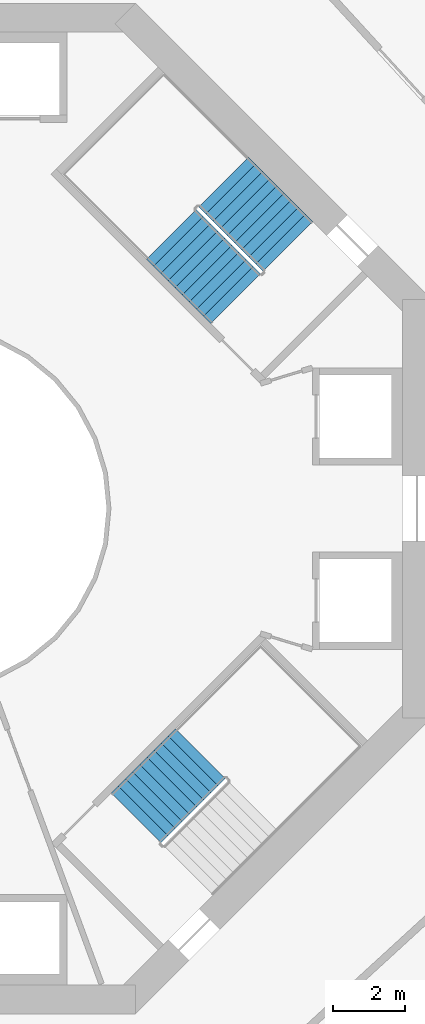
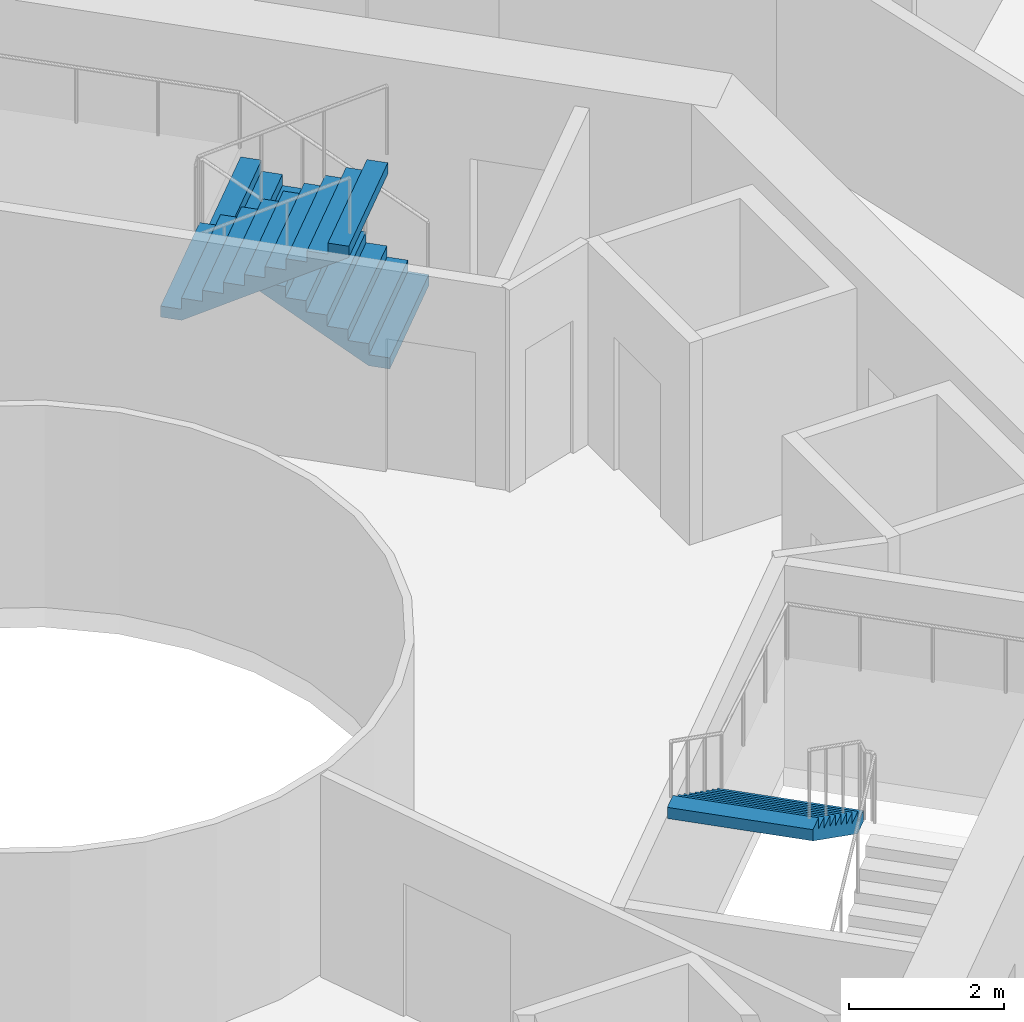
# One storey, part 23 of 24: 3 stair flights, 2 elements without a shape of their own.
"""IFC4 building model written with IfcOpenShell, lengths in metres."""

from ifc_helpers import new_model, si_unit, direction, frame, origin, place, context, subcontext, project, spatial, triangles, material, type_object, element, aggregate, save


model = new_model("IFC4")

# Units and contexts
model_context = context("Model", 3, precision=1e-05, world=origin(), true_north=direction((0.0, 1.0)))
body_context = subcontext(model_context, "Body", "Model", "MODEL_VIEW")
ifc_project = project(units=[si_unit("LENGTHUNIT", "METRE"), si_unit("AREAUNIT", "SQUARE_METRE"), si_unit("VOLUMEUNIT", "CUBIC_METRE"), si_unit("PLANEANGLEUNIT", "RADIAN"), si_unit("MASSUNIT", "GRAM", prefix="KILO")], contexts=[model_context])

# Site, building, storey
site_placement = place(None, origin())
site = spatial("IfcSite", under=ifc_project, at=site_placement, CompositionType="ELEMENT")
building_placement = place(site_placement, origin())
building = spatial("IfcBuilding", under=site, at=building_placement, Name="Verdalira Terraces Hotel", CompositionType="ELEMENT")
storey_placement = place(building_placement, frame((0.0, 0.0, 86.0)))
storey = spatial("IfcBuildingStorey", under=building, at=storey_placement, Name="L19", CompositionType="ELEMENT", Elevation=86.0)

# Stair, stair flights
ifc_material_1 = material(Name="Concrete C40", Category="concrete")
stair_type = type_object("IfcStairType", Name="Core stair 20 risers 1950 mm wide", PredefinedType="HALF_TURN_STAIR", material=ifc_material_1)
stair_1_placement = place(storey_placement, origin())
stair_1 = element("IfcStair", 1, at=stair_1_placement, inside=storey, type_object=stair_type, Name="L19 Exit stair ST1", PredefinedType="HALF_TURN_STAIR")
ifc_material_2 = material(Name="Concrete C40", Category="concrete")
stair_flight_type = type_object("IfcStairFlightType", Name="Core stair flight 20 risers 1950 mm wide", PredefinedType="STRAIGHT", material=ifc_material_2)
stair_flight_1_placement = place(storey_placement, frame((10.023193, 7.265625, 0.0), z_axis=(0.0, 0.0, 1.0), x_axis=(-0.707106781, 0.707106781, 0.0)))
stair_flight_1 = element("IfcStairFlight", 2, at=stair_flight_1_placement, type_object=stair_flight_type, Name="ST1 flight 1", NumberOfRisers=10, NumberOfTreads=9, PredefinedType="STRAIGHT", RiserHeight=0.175, TreadLength=0.28, context=body_context, shape_type="Tessellation", body=[
    triangles([(0.0, 0.974976, 0.0), (0.282715, 0.974976, 0.0), (2.52002, 0.974976, 1.398193), (0.0, -0.974976, 0.0), (0.282715, -0.974976, 0.0), (2.52002, -0.974976, 1.398193), (2.52002, 0.974976, 1.574951), (2.23999, 0.974976, 1.574951), (2.52002, -0.974976, 1.574951), (2.23999, -0.974976, 1.574951), (2.23999, 0.974976, 1.399902), (2.23999, -0.974976, 1.399902), (1.959961, 0.974976, 1.399902), (1.959961, -0.974976, 1.399902), (1.959961, 0.974976, 1.225098), (1.959961, -0.974976, 1.225098), (1.679932, 0.974976, 1.225098), (1.679932, 0.974976, 1.050049), (1.679932, -0.974976, 1.225098), (1.679932, -0.974976, 1.050049), (1.399902, 0.974976, 1.050049), (1.399902, 0.974976, 0.875), (1.399902, -0.974976, 1.050049), (1.399902, -0.974976, 0.875), (1.120117, 0.974976, 0.875), (1.120117, 0.974976, 0.699951), (1.120117, -0.974976, 0.875), (1.120117, -0.974976, 0.699951), (0.840088, 0.974976, 0.699951), (0.840088, 0.974976, 0.524902), (0.840088, -0.974976, 0.699951), (0.840088, -0.974976, 0.524902), (0.560059, 0.974976, 0.524902), (0.560059, 0.974976, 0.350098), (0.560059, -0.974976, 0.524902), (0.560059, -0.974976, 0.350098), (0.280029, 0.974976, 0.350098), (0.280029, 0.974976, 0.175049), (0.280029, -0.974976, 0.350098), (0.280029, -0.974976, 0.175049), (0.0, 0.974976, 0.175049), (0.0, -0.974976, 0.175049), (0.0, -0.91404, 0.0), (0.0, -0.91404, 0.175049), (0.0, -0.853104, 0.0), (0.0, -0.853104, 0.175049), (0.0, -0.792168, 0.0), (0.0, -0.792168, 0.175049), (0.0, -0.731232, 0.0), (0.0, -0.731232, 0.175049), (0.0, -0.670296, 0.0), (0.0, -0.670296, 0.175049), (0.0, -0.60936, 0.0), (0.0, -0.60936, 0.175049), (0.0, -0.548424, 0.0), (0.0, -0.548424, 0.175049), (0.0, -0.487488, 0.0), (0.0, -0.487488, 0.175049), (0.0, -0.426552, 0.0), (0.0, -0.426552, 0.175049), (0.0, -0.365616, 0.0), (0.0, -0.365616, 0.175049), (0.0, -0.30468, 0.0), (0.0, -0.30468, 0.175049), (0.0, -0.243744, 0.0), (0.0, -0.243744, 0.175049), (0.0, -0.182808, 0.0), (0.0, -0.182808, 0.175049), (0.0, -0.121872, 0.0), (0.0, -0.121872, 0.175049), (0.0, -0.060936, 0.0), (0.0, -0.060936, 0.175049), (0.0, 0.0, 0.0), (0.0, 0.0, 0.175049), (0.0, 0.060936, 0.0), (0.0, 0.060936, 0.175049), (0.0, 0.121872, 0.0), (0.0, 0.121872, 0.175049), (0.0, 0.182808, 0.0), (0.0, 0.182808, 0.175049), (0.0, 0.243744, 0.0), (0.0, 0.243744, 0.175049), (0.0, 0.30468, 0.0), (0.0, 0.30468, 0.175049), (0.0, 0.365616, 0.0), (0.0, 0.365616, 0.175049), (0.0, 0.426552, 0.0), (0.0, 0.426552, 0.175049), (0.0, 0.487488, 0.0), (0.0, 0.487488, 0.175049), (0.0, 0.548424, 0.0), (0.0, 0.548424, 0.175049), (0.0, 0.60936, 0.0), (0.0, 0.60936, 0.175049), (0.0, 0.670296, 0.0), (0.0, 0.670296, 0.175049), (0.0, 0.731232, 0.0), (0.0, 0.731232, 0.175049), (0.0, 0.792168, 0.0), (0.0, 0.792168, 0.175049), (0.0, 0.853104, 0.0), (0.0, 0.853104, 0.175049), (0.0, 0.91404, 0.0), (0.0, 0.91404, 0.175049), (2.52002, -0.91404, 1.574951), (2.52002, -0.853104, 1.574951), (2.52002, -0.792168, 1.574951), (2.52002, -0.731232, 1.574951), (2.52002, -0.670296, 1.574951), (2.52002, -0.60936, 1.574951), (2.52002, -0.548424, 1.574951), (2.52002, -0.487488, 1.574951), (2.52002, -0.426552, 1.574951), (2.52002, -0.365616, 1.574951), (2.52002, -0.30468, 1.574951), (2.52002, -0.243744, 1.574951), (2.52002, -0.182808, 1.574951), (2.52002, -0.121872, 1.574951), (2.52002, -0.060936, 1.574951), (2.52002, 0.0, 1.574951), (2.52002, 0.060936, 1.574951), (2.52002, 0.121872, 1.574951), (2.52002, 0.182808, 1.574951), (2.52002, 0.243744, 1.574951), (2.52002, 0.30468, 1.574951), (2.52002, 0.365616, 1.574951), (2.52002, 0.426552, 1.574951), (2.52002, 0.487488, 1.574951), (2.52002, 0.548424, 1.574951), (2.52002, 0.60936, 1.574951), (2.52002, 0.670296, 1.574951), (2.52002, 0.731232, 1.574951), (2.52002, 0.792168, 1.574951), (2.52002, 0.853104, 1.574951), (2.52002, 0.91404, 1.574951), (2.52002, -0.91404, 1.398193), (2.52002, -0.853104, 1.398193), (2.52002, -0.792168, 1.398193), (2.52002, -0.731232, 1.398193), (2.52002, -0.670296, 1.398193), (2.52002, -0.60936, 1.398193), (2.52002, -0.548424, 1.398193), (2.52002, -0.487488, 1.398193), (2.52002, -0.426552, 1.398193), (2.52002, -0.365616, 1.398193), (2.52002, -0.30468, 1.398193), (2.52002, -0.243744, 1.398193), (2.52002, -0.182808, 1.398193), (2.52002, -0.121872, 1.398193), (2.52002, -0.060936, 1.398193), (2.52002, 0.0, 1.398193), (2.52002, 0.060936, 1.398193), (2.52002, 0.121872, 1.398193), (2.52002, 0.182808, 1.398193), (2.52002, 0.243744, 1.398193), (2.52002, 0.30468, 1.398193), (2.52002, 0.365616, 1.398193), (2.52002, 0.426552, 1.398193), (2.52002, 0.487488, 1.398193), (2.52002, 0.548424, 1.398193), (2.52002, 0.60936, 1.398193), (2.52002, 0.670296, 1.398193), (2.52002, 0.731232, 1.398193), (2.52002, 0.792168, 1.398193), (2.52002, 0.853104, 1.398193), (2.52002, 0.91404, 1.398193)], [[1, 3, 2], [4, 5, 6], [3, 8, 7], [6, 9, 10], [3, 11, 8], [6, 10, 12], [3, 13, 11], [6, 12, 14], [3, 15, 13], [6, 14, 16], [15, 18, 17], [16, 19, 20], [3, 18, 15], [6, 16, 20], [18, 22, 21], [20, 23, 24], [3, 22, 18], [6, 20, 24], [22, 26, 25], [24, 27, 28], [3, 26, 22], [6, 24, 28], [26, 30, 29], [28, 31, 32], [3, 30, 26], [6, 28, 32], [1, 30, 3], [4, 6, 32], [30, 34, 33], [32, 35, 36], [34, 38, 37], [36, 39, 40], [30, 38, 34], [32, 36, 40], [1, 38, 30], [4, 32, 40], [38, 1, 41], [40, 42, 4], [4, 44, 43], [4, 42, 44], [43, 46, 45], [43, 44, 46], [45, 48, 47], [45, 46, 48], [47, 50, 49], [47, 48, 50], [49, 52, 51], [49, 50, 52], [51, 54, 53], [51, 52, 54], [53, 56, 55], [53, 54, 56], [55, 58, 57], [55, 56, 58], [57, 60, 59], [57, 58, 60], [59, 62, 61], [59, 60, 62], [61, 64, 63], [61, 62, 64], [63, 66, 65], [63, 64, 66], [65, 68, 67], [65, 66, 68], [67, 70, 69], [67, 68, 70], [69, 72, 71], [69, 70, 72], [71, 74, 73], [71, 72, 74], [73, 76, 75], [73, 74, 76], [75, 78, 77], [75, 76, 78], [77, 80, 79], [77, 78, 80], [79, 82, 81], [79, 80, 82], [81, 84, 83], [81, 82, 84], [83, 86, 85], [83, 84, 86], [85, 88, 87], [85, 86, 88], [87, 90, 89], [87, 88, 90], [89, 92, 91], [89, 90, 92], [91, 94, 93], [91, 92, 94], [93, 96, 95], [93, 94, 96], [95, 98, 97], [95, 96, 98], [97, 100, 99], [97, 98, 100], [99, 102, 101], [99, 100, 102], [101, 104, 103], [101, 102, 104], [103, 41, 1], [103, 104, 41], [42, 40, 44], [44, 40, 46], [46, 40, 48], [48, 40, 50], [50, 40, 52], [52, 40, 54], [54, 40, 56], [56, 40, 58], [58, 40, 60], [60, 40, 62], [62, 40, 64], [64, 40, 66], [66, 40, 68], [68, 40, 70], [70, 40, 72], [72, 40, 74], [74, 40, 76], [76, 40, 78], [78, 40, 80], [80, 40, 82], [82, 40, 84], [84, 40, 86], [86, 40, 88], [88, 40, 90], [90, 40, 92], [92, 40, 94], [94, 40, 96], [96, 40, 98], [98, 40, 100], [100, 40, 102], [102, 40, 104], [104, 40, 41], [41, 40, 38], [40, 37, 38], [40, 39, 37], [39, 34, 37], [39, 36, 34], [36, 33, 34], [36, 35, 33], [35, 30, 33], [35, 32, 30], [32, 29, 30], [32, 31, 29], [31, 26, 29], [31, 28, 26], [28, 25, 26], [28, 27, 25], [27, 22, 25], [27, 24, 22], [24, 21, 22], [24, 23, 21], [23, 18, 21], [23, 20, 18], [20, 17, 18], [20, 19, 17], [19, 15, 17], [19, 16, 15], [16, 13, 15], [16, 14, 13], [14, 11, 13], [14, 12, 11], [12, 8, 11], [12, 10, 8], [9, 105, 10], [105, 106, 10], [106, 107, 10], [107, 108, 10], [108, 109, 10], [109, 110, 10], [110, 111, 10], [111, 112, 10], [112, 113, 10], [113, 114, 10], [114, 115, 10], [115, 116, 10], [116, 117, 10], [117, 118, 10], [118, 119, 10], [119, 120, 10], [120, 121, 10], [121, 122, 10], [122, 123, 10], [123, 124, 10], [124, 125, 10], [125, 126, 10], [126, 127, 10], [127, 128, 10], [128, 129, 10], [129, 130, 10], [130, 131, 10], [131, 132, 10], [132, 133, 10], [133, 134, 10], [134, 135, 10], [135, 7, 10], [7, 8, 10], [9, 136, 105], [9, 6, 136], [105, 137, 106], [105, 136, 137], [106, 138, 107], [106, 137, 138], [107, 139, 108], [107, 138, 139], [108, 140, 109], [108, 139, 140], [109, 141, 110], [109, 140, 141], [110, 142, 111], [110, 141, 142], [111, 143, 112], [111, 142, 143], [112, 144, 113], [112, 143, 144], [113, 145, 114], [113, 144, 145], [114, 146, 115], [114, 145, 146], [115, 147, 116], [115, 146, 147], [116, 148, 117], [116, 147, 148], [117, 149, 118], [117, 148, 149], [118, 150, 119], [118, 149, 150], [119, 151, 120], [119, 150, 151], [120, 152, 121], [120, 151, 152], [121, 153, 122], [121, 152, 153], [122, 154, 123], [122, 153, 154], [123, 155, 124], [123, 154, 155], [124, 156, 125], [124, 155, 156], [125, 157, 126], [125, 156, 157], [126, 158, 127], [126, 157, 158], [127, 159, 128], [127, 158, 159], [128, 160, 129], [128, 159, 160], [129, 161, 130], [129, 160, 161], [130, 162, 131], [130, 161, 162], [131, 163, 132], [131, 162, 163], [132, 164, 133], [132, 163, 164], [133, 165, 134], [133, 164, 165], [134, 166, 135], [134, 165, 166], [135, 3, 7], [135, 166, 3], [6, 5, 136], [136, 5, 137], [137, 5, 138], [138, 5, 139], [139, 5, 140], [140, 5, 141], [141, 5, 142], [142, 5, 143], [143, 5, 144], [144, 5, 145], [145, 5, 146], [146, 5, 147], [147, 5, 148], [148, 5, 149], [149, 5, 150], [150, 5, 151], [151, 5, 152], [152, 5, 153], [153, 5, 154], [154, 5, 155], [155, 5, 156], [156, 5, 157], [157, 5, 158], [158, 5, 159], [159, 5, 160], [160, 5, 161], [161, 5, 162], [162, 5, 163], [163, 5, 164], [164, 5, 165], [165, 5, 166], [166, 5, 3], [3, 5, 2], [4, 43, 5], [43, 45, 5], [45, 47, 5], [47, 49, 5], [49, 51, 5], [51, 53, 5], [53, 55, 5], [55, 57, 5], [57, 59, 5], [59, 61, 5], [61, 63, 5], [63, 65, 5], [65, 67, 5], [67, 69, 5], [69, 71, 5], [71, 73, 5], [73, 75, 5], [75, 77, 5], [77, 79, 5], [79, 81, 5], [81, 83, 5], [83, 85, 5], [85, 87, 5], [87, 89, 5], [89, 91, 5], [91, 93, 5], [93, 95, 5], [95, 97, 5], [97, 99, 5], [99, 101, 5], [101, 103, 5], [103, 1, 5], [1, 2, 5]], closed=True),
])
stair_flight_2_placement = place(storey_placement, frame((6.791748, 7.5979, 1.75), z_axis=(0.0, 0.0, 1.0), x_axis=(0.707106781, -0.707106781, 0.0)))
stair_flight_2 = element("IfcStairFlight", 3, at=stair_flight_2_placement, type_object=stair_flight_type, Name="ST1 flight 2", NumberOfRisers=10, NumberOfTreads=9, PredefinedType="STRAIGHT", RiserHeight=0.175, TreadLength=0.28, context=body_context, shape_type="Tessellation", body=[
    triangles([(0.0, 0.974976, 0.0), (0.282715, 0.974976, 0.0), (2.52002, 0.974976, 1.398193), (0.0, -0.974976, 0.0), (0.282715, -0.974976, 0.0), (2.52002, -0.974976, 1.398193), (2.52002, 0.974976, 1.574951), (2.23999, 0.974976, 1.574951), (2.52002, -0.974976, 1.574951), (2.23999, -0.974976, 1.574951), (2.23999, 0.974976, 1.399902), (2.23999, -0.974976, 1.399902), (1.959961, 0.974976, 1.399902), (1.959961, -0.974976, 1.399902), (1.959961, 0.974976, 1.225098), (1.959961, -0.974976, 1.225098), (1.679932, 0.974976, 1.225098), (1.679932, 0.974976, 1.050049), (1.679932, -0.974976, 1.225098), (1.679932, -0.974976, 1.050049), (1.399902, 0.974976, 1.050049), (1.399902, 0.974976, 0.875), (1.399902, -0.974976, 1.050049), (1.399902, -0.974976, 0.875), (1.120117, 0.974976, 0.875), (1.120117, 0.974976, 0.699951), (1.120117, -0.974976, 0.875), (1.120117, -0.974976, 0.699951), (0.840088, 0.974976, 0.699951), (0.840088, 0.974976, 0.524902), (0.840088, -0.974976, 0.699951), (0.840088, -0.974976, 0.524902), (0.560059, 0.974976, 0.524902), (0.560059, 0.974976, 0.350098), (0.560059, -0.974976, 0.524902), (0.560059, -0.974976, 0.350098), (0.280029, 0.974976, 0.350098), (0.280029, 0.974976, 0.175049), (0.280029, -0.974976, 0.350098), (0.280029, -0.974976, 0.175049), (0.0, 0.974976, 0.175049), (0.0, -0.974976, 0.175049), (0.0, -0.91404, 0.0), (0.0, -0.91404, 0.175049), (0.0, -0.853104, 0.0), (0.0, -0.853104, 0.175049), (0.0, -0.792168, 0.0), (0.0, -0.792168, 0.175049), (0.0, -0.731232, 0.0), (0.0, -0.731232, 0.175049), (0.0, -0.670296, 0.0), (0.0, -0.670296, 0.175049), (0.0, -0.60936, 0.0), (0.0, -0.60936, 0.175049), (0.0, -0.548424, 0.0), (0.0, -0.548424, 0.175049), (0.0, -0.487488, 0.0), (0.0, -0.487488, 0.175049), (0.0, -0.426552, 0.0), (0.0, -0.426552, 0.175049), (0.0, -0.365616, 0.0), (0.0, -0.365616, 0.175049), (0.0, -0.30468, 0.0), (0.0, -0.30468, 0.175049), (0.0, -0.243744, 0.0), (0.0, -0.243744, 0.175049), (0.0, -0.182808, 0.0), (0.0, -0.182808, 0.175049), (0.0, -0.121872, 0.0), (0.0, -0.121872, 0.175049), (0.0, -0.060936, 0.0), (0.0, -0.060936, 0.175049), (0.0, 0.0, 0.0), (0.0, 0.0, 0.175049), (0.0, 0.060936, 0.0), (0.0, 0.060936, 0.175049), (0.0, 0.121872, 0.0), (0.0, 0.121872, 0.175049), (0.0, 0.182808, 0.0), (0.0, 0.182808, 0.175049), (0.0, 0.243744, 0.0), (0.0, 0.243744, 0.175049), (0.0, 0.30468, 0.0), (0.0, 0.30468, 0.175049), (0.0, 0.365616, 0.0), (0.0, 0.365616, 0.175049), (0.0, 0.426552, 0.0), (0.0, 0.426552, 0.175049), (0.0, 0.487488, 0.0), (0.0, 0.487488, 0.175049), (0.0, 0.548424, 0.0), (0.0, 0.548424, 0.175049), (0.0, 0.60936, 0.0), (0.0, 0.60936, 0.175049), (0.0, 0.670296, 0.0), (0.0, 0.670296, 0.175049), (0.0, 0.731232, 0.0), (0.0, 0.731232, 0.175049), (0.0, 0.792168, 0.0), (0.0, 0.792168, 0.175049), (0.0, 0.853104, 0.0), (0.0, 0.853104, 0.175049), (0.0, 0.91404, 0.0), (0.0, 0.91404, 0.175049), (2.52002, -0.91404, 1.574951), (2.52002, -0.853104, 1.574951), (2.52002, -0.792168, 1.574951), (2.52002, -0.731232, 1.574951), (2.52002, -0.670296, 1.574951), (2.52002, -0.60936, 1.574951), (2.52002, -0.548424, 1.574951), (2.52002, -0.487488, 1.574951), (2.52002, -0.426552, 1.574951), (2.52002, -0.365616, 1.574951), (2.52002, -0.30468, 1.574951), (2.52002, -0.243744, 1.574951), (2.52002, -0.182808, 1.574951), (2.52002, -0.121872, 1.574951), (2.52002, -0.060936, 1.574951), (2.52002, 0.0, 1.574951), (2.52002, 0.060936, 1.574951), (2.52002, 0.121872, 1.574951), (2.52002, 0.182808, 1.574951), (2.52002, 0.243744, 1.574951), (2.52002, 0.30468, 1.574951), (2.52002, 0.365616, 1.574951), (2.52002, 0.426552, 1.574951), (2.52002, 0.487488, 1.574951), (2.52002, 0.548424, 1.574951), (2.52002, 0.60936, 1.574951), (2.52002, 0.670296, 1.574951), (2.52002, 0.731232, 1.574951), (2.52002, 0.792168, 1.574951), (2.52002, 0.853104, 1.574951), (2.52002, 0.91404, 1.574951), (2.52002, -0.91404, 1.398193), (2.52002, -0.853104, 1.398193), (2.52002, -0.792168, 1.398193), (2.52002, -0.731232, 1.398193), (2.52002, -0.670296, 1.398193), (2.52002, -0.60936, 1.398193), (2.52002, -0.548424, 1.398193), (2.52002, -0.487488, 1.398193), (2.52002, -0.426552, 1.398193), (2.52002, -0.365616, 1.398193), (2.52002, -0.30468, 1.398193), (2.52002, -0.243744, 1.398193), (2.52002, -0.182808, 1.398193), (2.52002, -0.121872, 1.398193), (2.52002, -0.060936, 1.398193), (2.52002, 0.0, 1.398193), (2.52002, 0.060936, 1.398193), (2.52002, 0.121872, 1.398193), (2.52002, 0.182808, 1.398193), (2.52002, 0.243744, 1.398193), (2.52002, 0.30468, 1.398193), (2.52002, 0.365616, 1.398193), (2.52002, 0.426552, 1.398193), (2.52002, 0.487488, 1.398193), (2.52002, 0.548424, 1.398193), (2.52002, 0.60936, 1.398193), (2.52002, 0.670296, 1.398193), (2.52002, 0.731232, 1.398193), (2.52002, 0.792168, 1.398193), (2.52002, 0.853104, 1.398193), (2.52002, 0.91404, 1.398193)], [[1, 3, 2], [4, 5, 6], [3, 8, 7], [6, 9, 10], [3, 11, 8], [6, 10, 12], [3, 13, 11], [6, 12, 14], [3, 15, 13], [6, 14, 16], [15, 18, 17], [16, 19, 20], [3, 18, 15], [6, 16, 20], [18, 22, 21], [20, 23, 24], [3, 22, 18], [6, 20, 24], [22, 26, 25], [24, 27, 28], [3, 26, 22], [6, 24, 28], [26, 30, 29], [28, 31, 32], [3, 30, 26], [6, 28, 32], [1, 30, 3], [4, 6, 32], [30, 34, 33], [32, 35, 36], [34, 38, 37], [36, 39, 40], [30, 38, 34], [32, 36, 40], [1, 38, 30], [4, 32, 40], [38, 1, 41], [40, 42, 4], [4, 44, 43], [4, 42, 44], [43, 46, 45], [43, 44, 46], [45, 48, 47], [45, 46, 48], [47, 50, 49], [47, 48, 50], [49, 52, 51], [49, 50, 52], [51, 54, 53], [51, 52, 54], [53, 56, 55], [53, 54, 56], [55, 58, 57], [55, 56, 58], [57, 60, 59], [57, 58, 60], [59, 62, 61], [59, 60, 62], [61, 64, 63], [61, 62, 64], [63, 66, 65], [63, 64, 66], [65, 68, 67], [65, 66, 68], [67, 70, 69], [67, 68, 70], [69, 72, 71], [69, 70, 72], [71, 74, 73], [71, 72, 74], [73, 76, 75], [73, 74, 76], [75, 78, 77], [75, 76, 78], [77, 80, 79], [77, 78, 80], [79, 82, 81], [79, 80, 82], [81, 84, 83], [81, 82, 84], [83, 86, 85], [83, 84, 86], [85, 88, 87], [85, 86, 88], [87, 90, 89], [87, 88, 90], [89, 92, 91], [89, 90, 92], [91, 94, 93], [91, 92, 94], [93, 96, 95], [93, 94, 96], [95, 98, 97], [95, 96, 98], [97, 100, 99], [97, 98, 100], [99, 102, 101], [99, 100, 102], [101, 104, 103], [101, 102, 104], [103, 41, 1], [103, 104, 41], [42, 40, 44], [44, 40, 46], [46, 40, 48], [48, 40, 50], [50, 40, 52], [52, 40, 54], [54, 40, 56], [56, 40, 58], [58, 40, 60], [60, 40, 62], [62, 40, 64], [64, 40, 66], [66, 40, 68], [68, 40, 70], [70, 40, 72], [72, 40, 74], [74, 40, 76], [76, 40, 78], [78, 40, 80], [80, 40, 82], [82, 40, 84], [84, 40, 86], [86, 40, 88], [88, 40, 90], [90, 40, 92], [92, 40, 94], [94, 40, 96], [96, 40, 98], [98, 40, 100], [100, 40, 102], [102, 40, 104], [104, 40, 41], [41, 40, 38], [40, 37, 38], [40, 39, 37], [39, 34, 37], [39, 36, 34], [36, 33, 34], [36, 35, 33], [35, 30, 33], [35, 32, 30], [32, 29, 30], [32, 31, 29], [31, 26, 29], [31, 28, 26], [28, 25, 26], [28, 27, 25], [27, 22, 25], [27, 24, 22], [24, 21, 22], [24, 23, 21], [23, 18, 21], [23, 20, 18], [20, 17, 18], [20, 19, 17], [19, 15, 17], [19, 16, 15], [16, 13, 15], [16, 14, 13], [14, 11, 13], [14, 12, 11], [12, 8, 11], [12, 10, 8], [9, 105, 10], [105, 106, 10], [106, 107, 10], [107, 108, 10], [108, 109, 10], [109, 110, 10], [110, 111, 10], [111, 112, 10], [112, 113, 10], [113, 114, 10], [114, 115, 10], [115, 116, 10], [116, 117, 10], [117, 118, 10], [118, 119, 10], [119, 120, 10], [120, 121, 10], [121, 122, 10], [122, 123, 10], [123, 124, 10], [124, 125, 10], [125, 126, 10], [126, 127, 10], [127, 128, 10], [128, 129, 10], [129, 130, 10], [130, 131, 10], [131, 132, 10], [132, 133, 10], [133, 134, 10], [134, 135, 10], [135, 7, 10], [7, 8, 10], [9, 136, 105], [9, 6, 136], [105, 137, 106], [105, 136, 137], [106, 138, 107], [106, 137, 138], [107, 139, 108], [107, 138, 139], [108, 140, 109], [108, 139, 140], [109, 141, 110], [109, 140, 141], [110, 142, 111], [110, 141, 142], [111, 143, 112], [111, 142, 143], [112, 144, 113], [112, 143, 144], [113, 145, 114], [113, 144, 145], [114, 146, 115], [114, 145, 146], [115, 147, 116], [115, 146, 147], [116, 148, 117], [116, 147, 148], [117, 149, 118], [117, 148, 149], [118, 150, 119], [118, 149, 150], [119, 151, 120], [119, 150, 151], [120, 152, 121], [120, 151, 152], [121, 153, 122], [121, 152, 153], [122, 154, 123], [122, 153, 154], [123, 155, 124], [123, 154, 155], [124, 156, 125], [124, 155, 156], [125, 157, 126], [125, 156, 157], [126, 158, 127], [126, 157, 158], [127, 159, 128], [127, 158, 159], [128, 160, 129], [128, 159, 160], [129, 161, 130], [129, 160, 161], [130, 162, 131], [130, 161, 162], [131, 163, 132], [131, 162, 163], [132, 164, 133], [132, 163, 164], [133, 165, 134], [133, 164, 165], [134, 166, 135], [134, 165, 166], [135, 3, 7], [135, 166, 3], [6, 5, 136], [136, 5, 137], [137, 5, 138], [138, 5, 139], [139, 5, 140], [140, 5, 141], [141, 5, 142], [142, 5, 143], [143, 5, 144], [144, 5, 145], [145, 5, 146], [146, 5, 147], [147, 5, 148], [148, 5, 149], [149, 5, 150], [150, 5, 151], [151, 5, 152], [152, 5, 153], [153, 5, 154], [154, 5, 155], [155, 5, 156], [156, 5, 157], [157, 5, 158], [158, 5, 159], [159, 5, 160], [160, 5, 161], [161, 5, 162], [162, 5, 163], [163, 5, 164], [164, 5, 165], [165, 5, 166], [166, 5, 3], [3, 5, 2], [4, 43, 5], [43, 45, 5], [45, 47, 5], [47, 49, 5], [49, 51, 5], [51, 53, 5], [53, 55, 5], [55, 57, 5], [57, 59, 5], [59, 61, 5], [61, 63, 5], [63, 65, 5], [65, 67, 5], [67, 69, 5], [69, 71, 5], [71, 73, 5], [73, 75, 5], [75, 77, 5], [77, 79, 5], [79, 81, 5], [81, 83, 5], [83, 85, 5], [85, 87, 5], [87, 89, 5], [89, 91, 5], [91, 93, 5], [93, 95, 5], [95, 97, 5], [97, 99, 5], [99, 101, 5], [101, 103, 5], [103, 1, 5], [1, 2, 5]], closed=True),
])
aggregate(stair_1, [stair_flight_1, stair_flight_2])

# Stair, stair flight
stair_2_placement = place(storey_placement, origin())
stair_2 = element("IfcStair", 4, at=stair_2_placement, inside=storey, type_object=stair_type, Name="L19 Exit stair ST3", PredefinedType="HALF_TURN_STAIR")
stair_flight_3_placement = place(storey_placement, frame((7.5979, -6.791748, 1.75), z_axis=(0.0, 0.0, 1.0), x_axis=(-0.707106781, -0.707106781, 0.0)))
stair_flight_3 = element("IfcStairFlight", 5, at=stair_flight_3_placement, type_object=stair_flight_type, Name="ST3 flight 2", NumberOfRisers=10, NumberOfTreads=9, PredefinedType="STRAIGHT", RiserHeight=0.175, TreadLength=0.28, context=body_context, shape_type="Tessellation", body=[
    triangles([(0.0, 0.974976, 0.0), (0.282715, 0.974976, 0.0), (2.52002, 0.974976, 1.398193), (0.0, -0.974976, 0.0), (0.282715, -0.974976, 0.0), (2.52002, -0.974976, 1.398193), (2.52002, 0.974976, 1.574951), (2.23999, 0.974976, 1.574951), (2.52002, -0.974976, 1.574951), (2.23999, -0.974976, 1.574951), (2.23999, 0.974976, 1.399902), (2.23999, -0.974976, 1.399902), (1.959961, 0.974976, 1.399902), (1.959961, -0.974976, 1.399902), (1.959961, 0.974976, 1.225098), (1.959961, -0.974976, 1.225098), (1.679932, 0.974976, 1.225098), (1.679932, 0.974976, 1.050049), (1.679932, -0.974976, 1.225098), (1.679932, -0.974976, 1.050049), (1.399902, 0.974976, 1.050049), (1.399902, 0.974976, 0.875), (1.399902, -0.974976, 1.050049), (1.399902, -0.974976, 0.875), (1.120117, 0.974976, 0.875), (1.120117, 0.974976, 0.699951), (1.120117, -0.974976, 0.875), (1.120117, -0.974976, 0.699951), (0.840088, 0.974976, 0.699951), (0.840088, 0.974976, 0.524902), (0.840088, -0.974976, 0.699951), (0.840088, -0.974976, 0.524902), (0.560059, 0.974976, 0.524902), (0.560059, 0.974976, 0.350098), (0.560059, -0.974976, 0.524902), (0.560059, -0.974976, 0.350098), (0.280029, 0.974976, 0.350098), (0.280029, 0.974976, 0.175049), (0.280029, -0.974976, 0.350098), (0.280029, -0.974976, 0.175049), (0.0, 0.974976, 0.175049), (0.0, -0.974976, 0.175049), (0.0, -0.91404, 0.0), (0.0, -0.91404, 0.175049), (0.0, -0.853104, 0.0), (0.0, -0.853104, 0.175049), (0.0, -0.792168, 0.0), (0.0, -0.792168, 0.175049), (0.0, -0.731232, 0.0), (0.0, -0.731232, 0.175049), (0.0, -0.670296, 0.0), (0.0, -0.670296, 0.175049), (0.0, -0.60936, 0.0), (0.0, -0.60936, 0.175049), (0.0, -0.548424, 0.0), (0.0, -0.548424, 0.175049), (0.0, -0.487488, 0.0), (0.0, -0.487488, 0.175049), (0.0, -0.426552, 0.0), (0.0, -0.426552, 0.175049), (0.0, -0.365616, 0.0), (0.0, -0.365616, 0.175049), (0.0, -0.30468, 0.0), (0.0, -0.30468, 0.175049), (0.0, -0.243744, 0.0), (0.0, -0.243744, 0.175049), (0.0, -0.182808, 0.0), (0.0, -0.182808, 0.175049), (0.0, -0.121872, 0.0), (0.0, -0.121872, 0.175049), (0.0, -0.060936, 0.0), (0.0, -0.060936, 0.175049), (0.0, 0.0, 0.0), (0.0, 0.0, 0.175049), (0.0, 0.060936, 0.0), (0.0, 0.060936, 0.175049), (0.0, 0.121872, 0.0), (0.0, 0.121872, 0.175049), (0.0, 0.182808, 0.0), (0.0, 0.182808, 0.175049), (0.0, 0.243744, 0.0), (0.0, 0.243744, 0.175049), (0.0, 0.30468, 0.0), (0.0, 0.30468, 0.175049), (0.0, 0.365616, 0.0), (0.0, 0.365616, 0.175049), (0.0, 0.426552, 0.0), (0.0, 0.426552, 0.175049), (0.0, 0.487488, 0.0), (0.0, 0.487488, 0.175049), (0.0, 0.548424, 0.0), (0.0, 0.548424, 0.175049), (0.0, 0.60936, 0.0), (0.0, 0.60936, 0.175049), (0.0, 0.670296, 0.0), (0.0, 0.670296, 0.175049), (0.0, 0.731232, 0.0), (0.0, 0.731232, 0.175049), (0.0, 0.792168, 0.0), (0.0, 0.792168, 0.175049), (0.0, 0.853104, 0.0), (0.0, 0.853104, 0.175049), (0.0, 0.91404, 0.0), (0.0, 0.91404, 0.175049), (2.52002, -0.91404, 1.574951), (2.52002, -0.853104, 1.574951), (2.52002, -0.792168, 1.574951), (2.52002, -0.731232, 1.574951), (2.52002, -0.670296, 1.574951), (2.52002, -0.60936, 1.574951), (2.52002, -0.548424, 1.574951), (2.52002, -0.487488, 1.574951), (2.52002, -0.426552, 1.574951), (2.52002, -0.365616, 1.574951), (2.52002, -0.30468, 1.574951), (2.52002, -0.243744, 1.574951), (2.52002, -0.182808, 1.574951), (2.52002, -0.121872, 1.574951), (2.52002, -0.060936, 1.574951), (2.52002, 0.0, 1.574951), (2.52002, 0.060936, 1.574951), (2.52002, 0.121872, 1.574951), (2.52002, 0.182808, 1.574951), (2.52002, 0.243744, 1.574951), (2.52002, 0.30468, 1.574951), (2.52002, 0.365616, 1.574951), (2.52002, 0.426552, 1.574951), (2.52002, 0.487488, 1.574951), (2.52002, 0.548424, 1.574951), (2.52002, 0.60936, 1.574951), (2.52002, 0.670296, 1.574951), (2.52002, 0.731232, 1.574951), (2.52002, 0.792168, 1.574951), (2.52002, 0.853104, 1.574951), (2.52002, 0.91404, 1.574951), (2.52002, -0.91404, 1.398193), (2.52002, -0.853104, 1.398193), (2.52002, -0.792168, 1.398193), (2.52002, -0.731232, 1.398193), (2.52002, -0.670296, 1.398193), (2.52002, -0.60936, 1.398193), (2.52002, -0.548424, 1.398193), (2.52002, -0.487488, 1.398193), (2.52002, -0.426552, 1.398193), (2.52002, -0.365616, 1.398193), (2.52002, -0.30468, 1.398193), (2.52002, -0.243744, 1.398193), (2.52002, -0.182808, 1.398193), (2.52002, -0.121872, 1.398193), (2.52002, -0.060936, 1.398193), (2.52002, 0.0, 1.398193), (2.52002, 0.060936, 1.398193), (2.52002, 0.121872, 1.398193), (2.52002, 0.182808, 1.398193), (2.52002, 0.243744, 1.398193), (2.52002, 0.30468, 1.398193), (2.52002, 0.365616, 1.398193), (2.52002, 0.426552, 1.398193), (2.52002, 0.487488, 1.398193), (2.52002, 0.548424, 1.398193), (2.52002, 0.60936, 1.398193), (2.52002, 0.670296, 1.398193), (2.52002, 0.731232, 1.398193), (2.52002, 0.792168, 1.398193), (2.52002, 0.853104, 1.398193), (2.52002, 0.91404, 1.398193)], [[1, 3, 2], [4, 5, 6], [3, 8, 7], [6, 9, 10], [3, 11, 8], [6, 10, 12], [3, 13, 11], [6, 12, 14], [3, 15, 13], [6, 14, 16], [15, 18, 17], [16, 19, 20], [3, 18, 15], [6, 16, 20], [18, 22, 21], [20, 23, 24], [3, 22, 18], [6, 20, 24], [22, 26, 25], [24, 27, 28], [3, 26, 22], [6, 24, 28], [26, 30, 29], [28, 31, 32], [3, 30, 26], [6, 28, 32], [1, 30, 3], [4, 6, 32], [30, 34, 33], [32, 35, 36], [34, 38, 37], [36, 39, 40], [30, 38, 34], [32, 36, 40], [1, 38, 30], [4, 32, 40], [38, 1, 41], [40, 42, 4], [4, 44, 43], [4, 42, 44], [43, 46, 45], [43, 44, 46], [45, 48, 47], [45, 46, 48], [47, 50, 49], [47, 48, 50], [49, 52, 51], [49, 50, 52], [51, 54, 53], [51, 52, 54], [53, 56, 55], [53, 54, 56], [55, 58, 57], [55, 56, 58], [57, 60, 59], [57, 58, 60], [59, 62, 61], [59, 60, 62], [61, 64, 63], [61, 62, 64], [63, 66, 65], [63, 64, 66], [65, 68, 67], [65, 66, 68], [67, 70, 69], [67, 68, 70], [69, 72, 71], [69, 70, 72], [71, 74, 73], [71, 72, 74], [73, 76, 75], [73, 74, 76], [75, 78, 77], [75, 76, 78], [77, 80, 79], [77, 78, 80], [79, 82, 81], [79, 80, 82], [81, 84, 83], [81, 82, 84], [83, 86, 85], [83, 84, 86], [85, 88, 87], [85, 86, 88], [87, 90, 89], [87, 88, 90], [89, 92, 91], [89, 90, 92], [91, 94, 93], [91, 92, 94], [93, 96, 95], [93, 94, 96], [95, 98, 97], [95, 96, 98], [97, 100, 99], [97, 98, 100], [99, 102, 101], [99, 100, 102], [101, 104, 103], [101, 102, 104], [103, 41, 1], [103, 104, 41], [42, 40, 44], [44, 40, 46], [46, 40, 48], [48, 40, 50], [50, 40, 52], [52, 40, 54], [54, 40, 56], [56, 40, 58], [58, 40, 60], [60, 40, 62], [62, 40, 64], [64, 40, 66], [66, 40, 68], [68, 40, 70], [70, 40, 72], [72, 40, 74], [74, 40, 76], [76, 40, 78], [78, 40, 80], [80, 40, 82], [82, 40, 84], [84, 40, 86], [86, 40, 88], [88, 40, 90], [90, 40, 92], [92, 40, 94], [94, 40, 96], [96, 40, 98], [98, 40, 100], [100, 40, 102], [102, 40, 104], [104, 40, 41], [41, 40, 38], [40, 37, 38], [40, 39, 37], [39, 34, 37], [39, 36, 34], [36, 33, 34], [36, 35, 33], [35, 30, 33], [35, 32, 30], [32, 29, 30], [32, 31, 29], [31, 26, 29], [31, 28, 26], [28, 25, 26], [28, 27, 25], [27, 22, 25], [27, 24, 22], [24, 21, 22], [24, 23, 21], [23, 18, 21], [23, 20, 18], [20, 17, 18], [20, 19, 17], [19, 15, 17], [19, 16, 15], [16, 13, 15], [16, 14, 13], [14, 11, 13], [14, 12, 11], [12, 8, 11], [12, 10, 8], [9, 105, 10], [105, 106, 10], [106, 107, 10], [107, 108, 10], [108, 109, 10], [109, 110, 10], [110, 111, 10], [111, 112, 10], [112, 113, 10], [113, 114, 10], [114, 115, 10], [115, 116, 10], [116, 117, 10], [117, 118, 10], [118, 119, 10], [119, 120, 10], [120, 121, 10], [121, 122, 10], [122, 123, 10], [123, 124, 10], [124, 125, 10], [125, 126, 10], [126, 127, 10], [127, 128, 10], [128, 129, 10], [129, 130, 10], [130, 131, 10], [131, 132, 10], [132, 133, 10], [133, 134, 10], [134, 135, 10], [135, 7, 10], [7, 8, 10], [9, 136, 105], [9, 6, 136], [105, 137, 106], [105, 136, 137], [106, 138, 107], [106, 137, 138], [107, 139, 108], [107, 138, 139], [108, 140, 109], [108, 139, 140], [109, 141, 110], [109, 140, 141], [110, 142, 111], [110, 141, 142], [111, 143, 112], [111, 142, 143], [112, 144, 113], [112, 143, 144], [113, 145, 114], [113, 144, 145], [114, 146, 115], [114, 145, 146], [115, 147, 116], [115, 146, 147], [116, 148, 117], [116, 147, 148], [117, 149, 118], [117, 148, 149], [118, 150, 119], [118, 149, 150], [119, 151, 120], [119, 150, 151], [120, 152, 121], [120, 151, 152], [121, 153, 122], [121, 152, 153], [122, 154, 123], [122, 153, 154], [123, 155, 124], [123, 154, 155], [124, 156, 125], [124, 155, 156], [125, 157, 126], [125, 156, 157], [126, 158, 127], [126, 157, 158], [127, 159, 128], [127, 158, 159], [128, 160, 129], [128, 159, 160], [129, 161, 130], [129, 160, 161], [130, 162, 131], [130, 161, 162], [131, 163, 132], [131, 162, 163], [132, 164, 133], [132, 163, 164], [133, 165, 134], [133, 164, 165], [134, 166, 135], [134, 165, 166], [135, 3, 7], [135, 166, 3], [6, 5, 136], [136, 5, 137], [137, 5, 138], [138, 5, 139], [139, 5, 140], [140, 5, 141], [141, 5, 142], [142, 5, 143], [143, 5, 144], [144, 5, 145], [145, 5, 146], [146, 5, 147], [147, 5, 148], [148, 5, 149], [149, 5, 150], [150, 5, 151], [151, 5, 152], [152, 5, 153], [153, 5, 154], [154, 5, 155], [155, 5, 156], [156, 5, 157], [157, 5, 158], [158, 5, 159], [159, 5, 160], [160, 5, 161], [161, 5, 162], [162, 5, 163], [163, 5, 164], [164, 5, 165], [165, 5, 166], [166, 5, 3], [3, 5, 2], [4, 43, 5], [43, 45, 5], [45, 47, 5], [47, 49, 5], [49, 51, 5], [51, 53, 5], [53, 55, 5], [55, 57, 5], [57, 59, 5], [59, 61, 5], [61, 63, 5], [63, 65, 5], [65, 67, 5], [67, 69, 5], [69, 71, 5], [71, 73, 5], [73, 75, 5], [75, 77, 5], [77, 79, 5], [79, 81, 5], [81, 83, 5], [83, 85, 5], [85, 87, 5], [87, 89, 5], [89, 91, 5], [91, 93, 5], [93, 95, 5], [95, 97, 5], [97, 99, 5], [99, 101, 5], [101, 103, 5], [103, 1, 5], [1, 2, 5]], closed=True),
])
aggregate(stair_2, [stair_flight_3])

save(model, "model.ifc")
